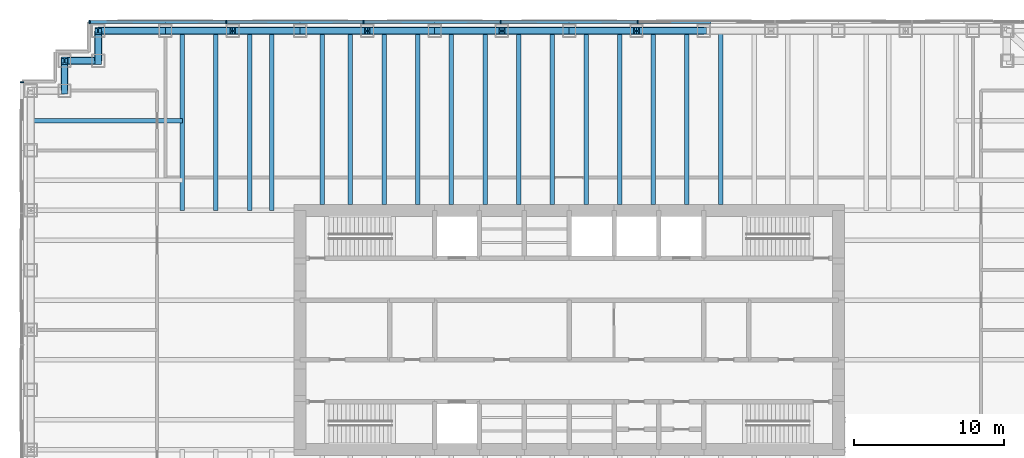
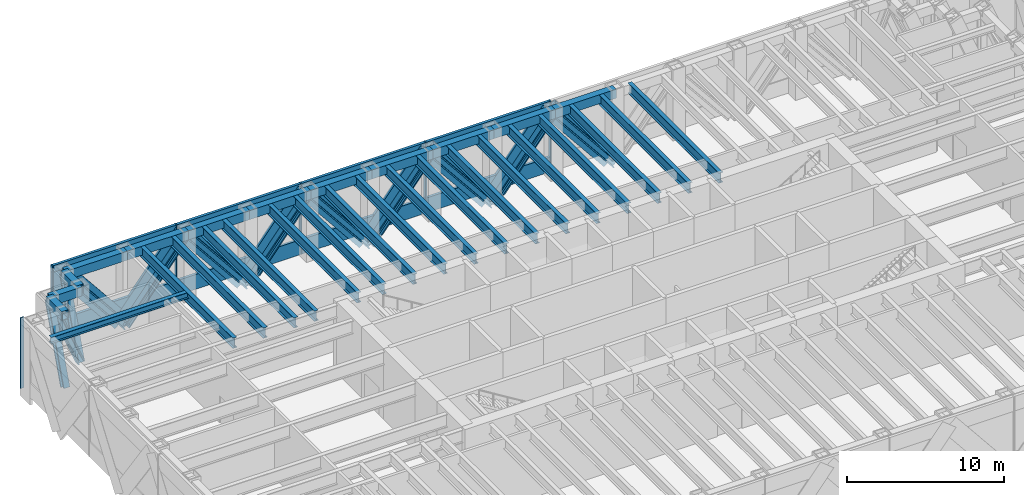
# One storey, part 5 of 17: 36 members, 30 beams, 2 elements without a shape of their own.
"""IFC4 building model written with IfcOpenShell, lengths in metres."""

from ifc_helpers import new_model, si_unit, direction, frame, origin, origin_2d, place, context, subcontext, project, spatial, rectangle, hollow_rectangle, i_section, extrude, material, material_profile, profile_set, type_object, element, aggregate, save


model = new_model("IFC4")

# Units and contexts
model_context = context("Model", 3, precision=1e-05, world=origin(), true_north=direction((0.0, 1.0)))
body_context = subcontext(model_context, "Body", "Model", "MODEL_VIEW")
ifc_project = project(units=[si_unit("LENGTHUNIT", "METRE"), si_unit("AREAUNIT", "SQUARE_METRE"), si_unit("VOLUMEUNIT", "CUBIC_METRE"), si_unit("PLANEANGLEUNIT", "RADIAN"), si_unit("MASSUNIT", "GRAM", prefix="KILO")], contexts=[model_context])

# Site, building, storey
site_placement = place(None, origin())
site = spatial("IfcSite", under=ifc_project, at=site_placement, CompositionType="ELEMENT")
building_placement = place(site_placement, origin())
building = spatial("IfcBuilding", under=site, at=building_placement, Name="Rheinbord Bourse Tower", CompositionType="ELEMENT")
storey_placement = place(building_placement, frame((0.0, 0.0, 265.60009765625)))
storey = spatial("IfcBuildingStorey", under=building, at=storey_placement, Name="L60", CompositionType="ELEMENT", Elevation=265.60009765625)

# Beams
ifc_material_1 = material(Name="Steel S460M", Category="steel")
ifc_material_profile_1 = material_profile(ifc_material_1, hollow_rectangle(XDim=0.5, YDim=0.699951171875, WallThickness=0.0400390625, at=origin_2d()), Name="BOX 700x500x40")
ifc_profile_set_1 = profile_set([ifc_material_profile_1], Name="Steel S460M")
beam_type_1 = type_object("IfcBeamType", Name="BELT CHORD BOX 700x500x40", PredefinedType="SPANDREL", material=ifc_profile_set_1)
for number, where, z_axis, x_axis, name in (
    (1, (45.0, 44.0, 4.989990234375), (-1.0, 0.0, 0.0), (0.0, -1.0, 0.0), "Spandrel N-45-N-40.5 under L61"),
    (2, (40.5, 44.0, 4.989990234375), (-1.0, 0.0, 0.0), (0.0, -1.0, 0.0), "Spandrel N-40.5-N-36 under L61"),
    (3, (36.0, 44.0, 4.989990234375), (-1.0, 0.0, 0.0), (0.0, -1.0, 0.0), "Spandrel N-36-N-31.5 under L61"),
    (4, (31.5, 44.0, 4.989990234375), (-1.0, 0.0, 0.0), (0.0, -1.0, 0.0), "Spandrel N-31.5-N-27 under L61"),
    (5, (27.0, 44.0, 4.989990234375), (-1.0, 0.0, 0.0), (0.0, -1.0, 0.0), "Spandrel N-27-N-22.5 under L61"),
    (6, (22.5, 44.0, 4.989990234375), (-1.0, 0.0, 0.0), (0.0, -1.0, 0.0), "Spandrel N-22.5-N-18 under L61"),
    (7, (18.0, 44.0, 4.989990234375), (-1.0, 0.0, 0.0), (0.0, -1.0, 0.0), "Spandrel N-18-N-13.5 under L61"),
    (8, (13.5, 44.0, 4.989990234375), (-1.0, 0.0, 0.0), (0.0, -1.0, 0.0), "Spandrel N-13.5-N-9 under L61"),
    (9, (9.0, 44.0, 4.989990234375), (-1.0, 0.0, 0.0), (0.0, -1.0, 0.0), "Spandrel N-9-NW-E under L61"),
):
    element("IfcBeam", number, at=place(storey_placement, frame(where, z_axis=z_axis, x_axis=x_axis)), inside=storey, type_object=beam_type_1, Name=name, PredefinedType="SPANDREL", context=body_context, shape_type="SweptSolid", body=[
        extrude(hollow_rectangle(XDim=0.5, YDim=0.699951171875, WallThickness=0.0400390625, at=origin_2d()), origin(), (0.0, 0.0, 1.0), 4.5),
    ])
beam_1_placement = place(storey_placement, frame((4.5, 44.0, 4.989990234375), z_axis=(0.0, -1.0, 0.0), x_axis=(1.0, 0.0, 0.0)))
element("IfcBeam", 10, at=beam_1_placement, inside=storey, type_object=beam_type_1, Name="Spandrel NW-E-NW-D under L61", PredefinedType="SPANDREL", context=body_context, shape_type="SweptSolid", body=[
    extrude(hollow_rectangle(XDim=0.5, YDim=0.699951171875, WallThickness=0.0400390625, at=origin_2d()), origin(), (0.0, 0.0, 1.0), 2.0),
])
beam_2_placement = place(storey_placement, frame((4.5, 42.0, 4.989990234375), z_axis=(-1.0, 0.0, 0.0), x_axis=(0.0, -1.0, 0.0)))
element("IfcBeam", 11, at=beam_2_placement, inside=storey, type_object=beam_type_1, Name="Spandrel NW-D-NW-C under L61", PredefinedType="SPANDREL", context=body_context, shape_type="SweptSolid", body=[
    extrude(hollow_rectangle(XDim=0.5, YDim=0.699951171875, WallThickness=0.0400390625, at=origin_2d()), origin(), (0.0, 0.0, 1.0), 2.25),
])
beam_3_placement = place(storey_placement, frame((2.25, 42.0, 4.989990234375), z_axis=(0.0, -1.0, 0.0), x_axis=(1.0, 0.0, 0.0)))
element("IfcBeam", 12, at=beam_3_placement, inside=storey, type_object=beam_type_1, Name="Spandrel NW-C-NW-B under L61", PredefinedType="SPANDREL", context=body_context, shape_type="SweptSolid", body=[
    extrude(hollow_rectangle(XDim=0.5, YDim=0.699951171875, WallThickness=0.0400390625, at=origin_2d()), origin(), (0.0, 0.0, 1.0), 2.0),
])

# Members
ifc_material_2 = material(Name="Steel S460", Category="steel")
ifc_material_profile_2 = material_profile(ifc_material_2, i_section(OverallWidth=0.431884765625, OverallDepth=0.498046875, WebThickness=0.0556640625, FlangeThickness=0.0888671875, at=origin_2d()), Name="HD 400x744")
ifc_profile_set_2 = profile_set([ifc_material_profile_2], Name="Steel S460")
member_type_1 = type_object("IfcMemberType", Name="BELT DIAGONAL HD 400x744", PredefinedType="STRUT", material=ifc_profile_set_2)
for number, where, z_axis, x_axis, name in (
    (13, (45.0, 44.0, -0.60009765625), (-0.627065297878, 0.0, 0.778966695178), (0.0, -1.0, 0.0), "Belt truss diagonal N-45-N-40.5 L60"),
    (14, (36.0, 44.0, -0.60009765625), (0.627065297878, 0.0, 0.778966695178), (0.0, 1.0, 0.0), "Belt truss diagonal N-40.5-N-36 L60"),
    (15, (36.0, 44.0, -0.60009765625), (-0.627065297878, 0.0, 0.778966695178), (0.0, -1.0, 0.0), "Belt truss diagonal N-36-N-31.5 L60"),
    (16, (27.0, 44.0, -0.60009765625), (0.627065297878, 0.0, 0.778966695178), (0.0, 1.0, 0.0), "Belt truss diagonal N-31.5-N-27 L60"),
    (17, (27.0, 44.0, -0.60009765625), (-0.627065297878, 0.0, 0.778966695178), (0.0, -1.0, 0.0), "Belt truss diagonal N-27-N-22.5 L60"),
    (18, (18.0, 44.0, -0.60009765625), (0.627065297878, 0.0, 0.778966695178), (0.0, 1.0, 0.0), "Belt truss diagonal N-22.5-N-18 L60"),
    (19, (18.0, 44.0, -0.60009765625), (-0.627065297878, 0.0, 0.778966695178), (0.0, -1.0, 0.0), "Belt truss diagonal N-18-N-13.5 L60"),
    (20, (9.0, 44.0, -0.60009765625), (0.627065297878, 0.0, 0.778966695178), (0.0, 1.0, 0.0), "Belt truss diagonal N-13.5-N-9 L60"),
    (21, (9.0, 44.0, -0.60009765625), (-0.627065297878, 0.0, 0.778966695178), (0.0, -1.0, 0.0), "Belt truss diagonal N-9-NW-E L60"),
):
    element("IfcMember", number, at=place(storey_placement, frame(where, z_axis=z_axis, x_axis=x_axis)), inside=storey, type_object=member_type_1, Name=name, PredefinedType="STRUT", context=body_context, shape_type="SweptSolid", body=[
        extrude(i_section(OverallWidth=0.431884765625, OverallDepth=0.498046875, WebThickness=0.0556640625, FlangeThickness=0.0888671875, at=origin_2d()), origin(), (0.0, 0.0, 1.0), 7.17626953125),
    ])
member_1_placement = place(storey_placement, frame((4.5, 42.0, -0.60009765625), z_axis=(0.0, 0.336865151883, 0.941552903159), x_axis=(-1.0, 0.0, 0.0)))
element("IfcMember", 22, at=member_1_placement, inside=storey, type_object=member_type_1, Name="Belt truss diagonal NW-E-NW-D L60", PredefinedType="STRUT", context=body_context, shape_type="SweptSolid", body=[
    extrude(i_section(OverallWidth=0.431884765625, OverallDepth=0.498046875, WebThickness=0.0556640625, FlangeThickness=0.0888671875, at=origin_2d()), origin(), (0.0, 0.0, 1.0), 5.93701171875),
])
member_2_placement = place(storey_placement, frame((4.5, 42.0, -0.60009765625), z_axis=(-0.37338763268, 0.0, 0.92767541509), x_axis=(0.0, -1.0, 0.0)))
element("IfcMember", 23, at=member_2_placement, inside=storey, type_object=member_type_1, Name="Belt truss diagonal NW-D-NW-C L60", PredefinedType="STRUT", context=body_context, shape_type="SweptSolid", body=[
    extrude(i_section(OverallWidth=0.431884765625, OverallDepth=0.498046875, WebThickness=0.0556640625, FlangeThickness=0.0888671875, at=origin_2d()), origin(), (0.0, 0.0, 1.0), 6.02587890625),
])
member_3_placement = place(storey_placement, frame((2.25, 40.0, -0.60009765625), z_axis=(0.0, 0.336865151883, 0.941552903159), x_axis=(-1.0, 0.0, 0.0)))
element("IfcMember", 24, at=member_3_placement, inside=storey, type_object=member_type_1, Name="Belt truss diagonal NW-C-NW-B L60", PredefinedType="STRUT", context=body_context, shape_type="SweptSolid", body=[
    extrude(i_section(OverallWidth=0.431884765625, OverallDepth=0.498046875, WebThickness=0.0556640625, FlangeThickness=0.0888671875, at=origin_2d()), origin(), (0.0, 0.0, 1.0), 5.93701171875),
])

# Curtain wall, members
ifc_material_3 = material(Name="Dark glass and black aluminium", Category="aluminium")
curtain_wall_type = type_object("IfcCurtainWallType", Name="CW5 DARK GLASS CURTAIN WALL", PredefinedType="USERDEFINED", material=ifc_material_3)
curtain_wall_1_placement = place(storey_placement, origin())
curtain_wall_1 = element("IfcCurtainWall", 25, at=curtain_wall_1_placement, inside=storey, type_object=curtain_wall_type, Name="Curtain wall CW5 N L60", ObjectType="UNITISED CURTAIN WALL", PredefinedType="USERDEFINED")
ifc_material_4 = material(Name="Black anodised aluminium", Category="aluminium")
ifc_material_profile_3 = material_profile(ifc_material_4, rectangle(XDim=0.199951171875, YDim=1.259033203125, at=origin_2d()), Name="CW5 DIAGONAL MULLION 1259x200")
ifc_profile_set_3 = profile_set([ifc_material_profile_3], Name="Black anodised aluminium")
member_type_2 = type_object("IfcMemberType", Name="CW5 BLACK DIAGONAL MULLION", PredefinedType="USERDEFINED", material=ifc_profile_set_3)
member_4_placement = place(storey_placement, frame((45.0, 44.60009765625, -0.60009765625), z_axis=(-0.627065297878, 0.0, 0.778966695178), x_axis=(0.0, -1.0, 0.0)))
member_4 = element("IfcMember", 26, at=member_4_placement, type_object=member_type_2, Name="CW5 diagonal mullion belt N-45", ObjectType="DIAGONAL MULLION", PredefinedType="USERDEFINED", context=body_context, shape_type="SweptSolid", body=[
    extrude(rectangle(XDim=0.199951171875, YDim=1.259033203125, at=origin_2d()), origin(), (0.0, 0.0, 1.0), 7.17626953125),
])
member_5_placement = place(storey_placement, frame((36.0, 44.60009765625, -0.60009765625), z_axis=(0.627065297878, 0.0, 0.778966695178), x_axis=(0.0, 1.0, 0.0)))
member_5 = element("IfcMember", 27, at=member_5_placement, type_object=member_type_2, Name="CW5 diagonal mullion belt N-40.5", ObjectType="DIAGONAL MULLION", PredefinedType="USERDEFINED", context=body_context, shape_type="SweptSolid", body=[
    extrude(rectangle(XDim=0.199951171875, YDim=1.259033203125, at=origin_2d()), origin(), (0.0, 0.0, 1.0), 7.17626953125),
])
member_6_placement = place(storey_placement, frame((36.0, 44.60009765625, -0.60009765625), z_axis=(-0.627065297878, 0.0, 0.778966695178), x_axis=(0.0, -1.0, 0.0)))
member_6 = element("IfcMember", 28, at=member_6_placement, type_object=member_type_2, Name="CW5 diagonal mullion belt N-36", ObjectType="DIAGONAL MULLION", PredefinedType="USERDEFINED", context=body_context, shape_type="SweptSolid", body=[
    extrude(rectangle(XDim=0.199951171875, YDim=1.259033203125, at=origin_2d()), origin(), (0.0, 0.0, 1.0), 7.17626953125),
])
member_7_placement = place(storey_placement, frame((27.0, 44.60009765625, -0.60009765625), z_axis=(0.627065297878, 0.0, 0.778966695178), x_axis=(0.0, 1.0, 0.0)))
member_7 = element("IfcMember", 29, at=member_7_placement, type_object=member_type_2, Name="CW5 diagonal mullion belt N-31.5", ObjectType="DIAGONAL MULLION", PredefinedType="USERDEFINED", context=body_context, shape_type="SweptSolid", body=[
    extrude(rectangle(XDim=0.199951171875, YDim=1.259033203125, at=origin_2d()), origin(), (0.0, 0.0, 1.0), 7.17626953125),
])
member_8_placement = place(storey_placement, frame((27.0, 44.60009765625, -0.60009765625), z_axis=(-0.627065297878, 0.0, 0.778966695178), x_axis=(0.0, -1.0, 0.0)))
member_8 = element("IfcMember", 30, at=member_8_placement, type_object=member_type_2, Name="CW5 diagonal mullion belt N-27", ObjectType="DIAGONAL MULLION", PredefinedType="USERDEFINED", context=body_context, shape_type="SweptSolid", body=[
    extrude(rectangle(XDim=0.199951171875, YDim=1.259033203125, at=origin_2d()), origin(), (0.0, 0.0, 1.0), 7.17626953125),
])
member_9_placement = place(storey_placement, frame((18.0, 44.60009765625, -0.60009765625), z_axis=(0.627065297878, 0.0, 0.778966695178), x_axis=(0.0, 1.0, 0.0)))
member_9 = element("IfcMember", 31, at=member_9_placement, type_object=member_type_2, Name="CW5 diagonal mullion belt N-22.5", ObjectType="DIAGONAL MULLION", PredefinedType="USERDEFINED", context=body_context, shape_type="SweptSolid", body=[
    extrude(rectangle(XDim=0.199951171875, YDim=1.259033203125, at=origin_2d()), origin(), (0.0, 0.0, 1.0), 7.17626953125),
])
member_10_placement = place(storey_placement, frame((18.0, 44.60009765625, -0.60009765625), z_axis=(-0.627065297878, 0.0, 0.778966695178), x_axis=(0.0, -1.0, 0.0)))
member_10 = element("IfcMember", 32, at=member_10_placement, type_object=member_type_2, Name="CW5 diagonal mullion belt N-18", ObjectType="DIAGONAL MULLION", PredefinedType="USERDEFINED", context=body_context, shape_type="SweptSolid", body=[
    extrude(rectangle(XDim=0.199951171875, YDim=1.259033203125, at=origin_2d()), origin(), (0.0, 0.0, 1.0), 7.17626953125),
])
member_11_placement = place(storey_placement, frame((9.0, 44.60009765625, -0.60009765625), z_axis=(0.627065297878, 0.0, 0.778966695178), x_axis=(0.0, 1.0, 0.0)))
member_11 = element("IfcMember", 33, at=member_11_placement, type_object=member_type_2, Name="CW5 diagonal mullion belt N-13.5", ObjectType="DIAGONAL MULLION", PredefinedType="USERDEFINED", context=body_context, shape_type="SweptSolid", body=[
    extrude(rectangle(XDim=0.199951171875, YDim=1.259033203125, at=origin_2d()), origin(), (0.0, 0.0, 1.0), 7.17626953125),
])
member_12_placement = place(storey_placement, frame((9.0, 44.60009765625, -0.60009765625), z_axis=(-0.627065297878, 0.0, 0.778966695178), x_axis=(0.0, -1.0, 0.0)))
member_12 = element("IfcMember", 34, at=member_12_placement, type_object=member_type_2, Name="CW5 diagonal mullion belt N-9", ObjectType="DIAGONAL MULLION", PredefinedType="USERDEFINED", context=body_context, shape_type="SweptSolid", body=[
    extrude(rectangle(XDim=0.199951171875, YDim=1.259033203125, at=origin_2d()), origin(), (0.0, 0.0, 1.0), 7.17626953125),
])
member_13_placement = place(storey_placement, frame((4.5, 44.60009765625, -0.60009765625), z_axis=(0.0, 0.0, 1.0), x_axis=(0.0, -1.0, 0.0)))
member_13 = element("IfcMember", 35, at=member_13_placement, type_object=member_type_2, Name="CW5 diagonal mullion belt NW-E", ObjectType="DIAGONAL MULLION", PredefinedType="USERDEFINED", context=body_context, shape_type="SweptSolid", body=[
    extrude(rectangle(XDim=0.199951171875, YDim=1.259033203125, at=origin_2d()), origin(), (0.0, 0.0, 1.0), 5.590087890625),
])
ifc_material_5 = material(Name="Black anodised aluminium", Category="aluminium")
ifc_material_profile_4 = material_profile(ifc_material_5, rectangle(XDim=0.25, YDim=0.080078125, at=origin_2d()), Name="CW5 MULLION 80x250")
ifc_profile_set_4 = profile_set([ifc_material_profile_4], Name="Black anodised aluminium")
member_type_3 = type_object("IfcMemberType", Name="CW5 BLACK MULLION", PredefinedType="MULLION", material=ifc_profile_set_4)
member_14_placement = place(storey_placement, frame((40.585693359375, 44.60009765625, 0.0), z_axis=(0.0, 0.0, 1.0), x_axis=(0.0, -1.0, 0.0)))
member_14 = element("IfcMember", 36, at=member_14_placement, type_object=member_type_3, Name="CW5 mullion 4", PredefinedType="MULLION", context=body_context, shape_type="SweptSolid", body=[
    extrude(rectangle(XDim=0.25, YDim=0.080078125, at=origin_2d()), origin(), (0.0, 0.0, 1.0), 5.5),
])
member_15_placement = place(storey_placement, frame((31.414306640625, 44.60009765625, 0.0), z_axis=(0.0, 0.0, 1.0), x_axis=(0.0, -1.0, 0.0)))
member_15 = element("IfcMember", 37, at=member_15_placement, type_object=member_type_3, Name="CW5 mullion 5", PredefinedType="MULLION", context=body_context, shape_type="SweptSolid", body=[
    extrude(rectangle(XDim=0.25, YDim=0.080078125, at=origin_2d()), origin(), (0.0, 0.0, 1.0), 5.5),
])
member_16_placement = place(storey_placement, frame((22.242919921875, 44.60009765625, 0.0), z_axis=(0.0, 0.0, 1.0), x_axis=(0.0, -1.0, 0.0)))
member_16 = element("IfcMember", 38, at=member_16_placement, type_object=member_type_3, Name="CW5 mullion 6", PredefinedType="MULLION", context=body_context, shape_type="SweptSolid", body=[
    extrude(rectangle(XDim=0.25, YDim=0.080078125, at=origin_2d()), origin(), (0.0, 0.0, 1.0), 5.5),
])
member_17_placement = place(storey_placement, frame((13.071533203125, 44.60009765625, 0.0), z_axis=(0.0, 0.0, 1.0), x_axis=(0.0, -1.0, 0.0)))
member_17 = element("IfcMember", 39, at=member_17_placement, type_object=member_type_3, Name="CW5 mullion 7", PredefinedType="MULLION", context=body_context, shape_type="SweptSolid", body=[
    extrude(rectangle(XDim=0.25, YDim=0.080078125, at=origin_2d()), origin(), (0.0, 0.0, 1.0), 5.5),
])
member_18_placement = place(storey_placement, frame((3.93994140625, 44.60009765625, 0.0), z_axis=(0.0, 0.0, 1.0), x_axis=(0.0, -1.0, 0.0)))
member_18 = element("IfcMember", 40, at=member_18_placement, type_object=member_type_3, Name="CW5 mullion 8", PredefinedType="MULLION", context=body_context, shape_type="SweptSolid", body=[
    extrude(rectangle(XDim=0.25, YDim=0.080078125, at=origin_2d()), origin(), (0.0, 0.0, 1.0), 5.5),
])

# Curtain wall, member
curtain_wall_2_placement = place(storey_placement, origin())
curtain_wall_2 = element("IfcCurtainWall", 41, at=curtain_wall_2_placement, inside=storey, type_object=curtain_wall_type, Name="Curtain wall CW5 W L60", ObjectType="UNITISED CURTAIN WALL", PredefinedType="USERDEFINED")
member_19_placement = place(storey_placement, frame((-0.60009765625, 40.56005859375, 0.0), z_axis=(0.0, 0.0, 1.0), x_axis=(1.0, 0.0, 0.0)))
member_19 = element("IfcMember", 42, at=member_19_placement, type_object=member_type_3, Name="CW5 mullion 1", PredefinedType="MULLION", context=body_context, shape_type="SweptSolid", body=[
    extrude(rectangle(XDim=0.25, YDim=0.080078125, at=origin_2d()), origin(), (0.0, 0.0, 1.0), 5.5),
])
aggregate(curtain_wall_2, [member_19])

# Member
ifc_material_6 = material(Name="Black anodised aluminium", Category="aluminium")
ifc_material_profile_5 = material_profile(ifc_material_6, rectangle(XDim=0.199951171875, YDim=1.14990234375, at=origin_2d()), Name="CW5 TRANSOM 1150x200")
ifc_profile_set_5 = profile_set([ifc_material_profile_5], Name="Black anodised aluminium")
member_type_4 = type_object("IfcMemberType", Name="CW5 BLACK TRANSOM", PredefinedType="USERDEFINED", material=ifc_profile_set_5)
member_20_placement = place(storey_placement, frame((40.545654296875, 44.60009765625, 0.574951171875), z_axis=(-1.0, 0.0, 0.0), x_axis=(0.0, -1.0, 0.0)))
member_20 = element("IfcMember", 43, at=member_20_placement, type_object=member_type_4, Name="CW5 transom 4.1", ObjectType="TRANSOM", PredefinedType="USERDEFINED", context=body_context, shape_type="SweptSolid", body=[
    extrude(rectangle(XDim=0.199951171875, YDim=1.14990234375, at=origin_2d()), origin(), (0.0, 0.0, 1.0), 9.09130859375),
])

member_21_placement = place(storey_placement, frame((40.545654296875, 44.60009765625, 4.9248046875), z_axis=(-1.0, 0.0, 0.0), x_axis=(0.0, -1.0, 0.0)))
member_21 = element("IfcMember", 44, at=member_21_placement, type_object=member_type_4, Name="CW5 transom 4.2", ObjectType="TRANSOM", PredefinedType="USERDEFINED", context=body_context, shape_type="SweptSolid", body=[
    extrude(rectangle(XDim=0.199951171875, YDim=1.14990234375, at=origin_2d()), origin(), (0.0, 0.0, 1.0), 9.09130859375),
])

member_22_placement = place(storey_placement, frame((31.374267578125, 44.60009765625, 0.574951171875), z_axis=(-1.0, 0.0, 0.0), x_axis=(0.0, -1.0, 0.0)))
member_22 = element("IfcMember", 45, at=member_22_placement, type_object=member_type_4, Name="CW5 transom 5.1", ObjectType="TRANSOM", PredefinedType="USERDEFINED", context=body_context, shape_type="SweptSolid", body=[
    extrude(rectangle(XDim=0.199951171875, YDim=1.14990234375, at=origin_2d()), origin(), (0.0, 0.0, 1.0), 9.09130859375),
])

member_23_placement = place(storey_placement, frame((31.374267578125, 44.60009765625, 4.9248046875), z_axis=(-1.0, 0.0, 0.0), x_axis=(0.0, -1.0, 0.0)))
member_23 = element("IfcMember", 46, at=member_23_placement, type_object=member_type_4, Name="CW5 transom 5.2", ObjectType="TRANSOM", PredefinedType="USERDEFINED", context=body_context, shape_type="SweptSolid", body=[
    extrude(rectangle(XDim=0.199951171875, YDim=1.14990234375, at=origin_2d()), origin(), (0.0, 0.0, 1.0), 9.09130859375),
])

member_24_placement = place(storey_placement, frame((22.202880859375, 44.60009765625, 0.574951171875), z_axis=(-1.0, 0.0, 0.0), x_axis=(0.0, -1.0, 0.0)))
member_24 = element("IfcMember", 47, at=member_24_placement, type_object=member_type_4, Name="CW5 transom 6.1", ObjectType="TRANSOM", PredefinedType="USERDEFINED", context=body_context, shape_type="SweptSolid", body=[
    extrude(rectangle(XDim=0.199951171875, YDim=1.14990234375, at=origin_2d()), origin(), (0.0, 0.0, 1.0), 9.091552734375),
])

member_25_placement = place(storey_placement, frame((22.202880859375, 44.60009765625, 4.9248046875), z_axis=(-1.0, 0.0, 0.0), x_axis=(0.0, -1.0, 0.0)))
member_25 = element("IfcMember", 48, at=member_25_placement, type_object=member_type_4, Name="CW5 transom 6.2", ObjectType="TRANSOM", PredefinedType="USERDEFINED", context=body_context, shape_type="SweptSolid", body=[
    extrude(rectangle(XDim=0.199951171875, YDim=1.14990234375, at=origin_2d()), origin(), (0.0, 0.0, 1.0), 9.091552734375),
])

member_26_placement = place(storey_placement, frame((13.031494140625, 44.60009765625, 0.574951171875), z_axis=(-1.0, 0.0, 0.0), x_axis=(0.0, -1.0, 0.0)))
member_26 = element("IfcMember", 49, at=member_26_placement, type_object=member_type_4, Name="CW5 transom 7.1", ObjectType="TRANSOM", PredefinedType="USERDEFINED", context=body_context, shape_type="SweptSolid", body=[
    extrude(rectangle(XDim=0.199951171875, YDim=1.14990234375, at=origin_2d()), origin(), (0.0, 0.0, 1.0), 9.051513671875),
])

member_27_placement = place(storey_placement, frame((13.031494140625, 44.60009765625, 4.9248046875), z_axis=(-1.0, 0.0, 0.0), x_axis=(0.0, -1.0, 0.0)))
member_27 = element("IfcMember", 50, at=member_27_placement, type_object=member_type_4, Name="CW5 transom 7.2", ObjectType="TRANSOM", PredefinedType="USERDEFINED", context=body_context, shape_type="SweptSolid", body=[
    extrude(rectangle(XDim=0.199951171875, YDim=1.14990234375, at=origin_2d()), origin(), (0.0, 0.0, 1.0), 9.051513671875),
])

aggregate(curtain_wall_1, [member_14, member_15, member_16, member_17, member_18, member_20, member_21, member_22, member_23, member_24, member_25, member_26, member_27, member_4, member_5, member_6, member_7, member_8, member_9, member_10, member_11, member_12, member_13])

# Beams
ifc_material_7 = material(Name="Steel S460", Category="steel")
ifc_material_profile_6 = material_profile(ifc_material_7, i_section(OverallWidth=0.300048828125, OverallDepth=0.800048828125, WebThickness=0.017578125, FlangeThickness=0.032958984375, at=origin_2d()), Name="HEB 800")
ifc_profile_set_6 = profile_set([ifc_material_profile_6], Name="Steel S460")
beam_type_2 = type_object("IfcBeamType", Name="FLOOR BEAM HEB 800", PredefinedType="BEAM", material=ifc_profile_set_6)
for number, where, z_axis, x_axis, name in (
    (51, (10.125, 44.0, 4.93994140625), (0.0, -1.0, 0.0), (1.0, 0.0, 0.0), "Floor beam N-9a L61"),
    (52, (12.375, 44.0, 4.93994140625), (0.0, -1.0, 0.0), (1.0, 0.0, 0.0), "Floor beam N-9b L61"),
    (53, (14.625, 44.0, 4.93994140625), (0.0, -1.0, 0.0), (1.0, 0.0, 0.0), "Floor beam N-13.5a L61"),
    (54, (16.125, 44.0, 4.93994140625), (0.0, -1.0, 0.0), (1.0, 0.0, 0.0), "Floor beam N-13.5b L61"),
):
    element("IfcBeam", number, at=place(storey_placement, frame(where, z_axis=z_axis, x_axis=x_axis)), inside=storey, type_object=beam_type_2, Name=name, PredefinedType="BEAM", context=body_context, shape_type="SweptSolid", body=[
        extrude(i_section(OverallWidth=0.300048828125, OverallDepth=0.800048828125, WebThickness=0.017578125, FlangeThickness=0.032958984375, at=origin_2d()), origin(), (0.0, 0.0, 1.0), 12.0),
    ])
for number, where, z_axis, x_axis, name in (
    (55, (19.5, 44.0, 4.93994140625), (0.0, -1.0, 0.0), (1.0, 0.0, 0.0), "Floor beam N-18a L61"),
    (56, (21.375, 44.0, 4.93994140625), (0.0, -1.0, 0.0), (1.0, 0.0, 0.0), "Floor beam N-18b L61"),
    (57, (23.625, 44.0, 4.93994140625), (0.0, -1.0, 0.0), (1.0, 0.0, 0.0), "Floor beam N-22.5a L61"),
    (58, (25.875, 44.0, 4.93994140625), (0.0, -1.0, 0.0), (1.0, 0.0, 0.0), "Floor beam N-22.5b L61"),
    (59, (28.125, 44.0, 4.93994140625), (0.0, -1.0, 0.0), (1.0, 0.0, 0.0), "Floor beam N-27a L61"),
    (60, (30.375, 44.0, 4.93994140625), (0.0, -1.0, 0.0), (1.0, 0.0, 0.0), "Floor beam N-27b L61"),
    (61, (32.625, 44.0, 4.93994140625), (0.0, -1.0, 0.0), (1.0, 0.0, 0.0), "Floor beam N-31.5a L61"),
    (62, (34.875, 44.0, 4.93994140625), (0.0, -1.0, 0.0), (1.0, 0.0, 0.0), "Floor beam N-31.5b L61"),
    (63, (37.125, 44.0, 4.93994140625), (0.0, -1.0, 0.0), (1.0, 0.0, 0.0), "Floor beam N-36a L61"),
    (64, (39.375, 44.0, 4.93994140625), (0.0, -1.0, 0.0), (1.0, 0.0, 0.0), "Floor beam N-36b L61"),
    (65, (41.625, 44.0, 4.93994140625), (0.0, -1.0, 0.0), (1.0, 0.0, 0.0), "Floor beam N-40.5a L61"),
    (66, (43.875, 44.0, 4.93994140625), (0.0, -1.0, 0.0), (1.0, 0.0, 0.0), "Floor beam N-40.5b L61"),
    (67, (46.125, 44.0, 4.93994140625), (0.0, -1.0, 0.0), (1.0, 0.0, 0.0), "Floor beam N-45a L61"),
):
    element("IfcBeam", number, at=place(storey_placement, frame(where, z_axis=z_axis, x_axis=x_axis)), inside=storey, type_object=beam_type_2, Name=name, PredefinedType="BEAM", context=body_context, shape_type="SweptSolid", body=[
        extrude(i_section(OverallWidth=0.300048828125, OverallDepth=0.800048828125, WebThickness=0.017578125, FlangeThickness=0.032958984375, at=origin_2d()), origin(), (0.0, 0.0, 1.0), 11.60009765625),
    ])
ifc_material_8 = material(Name="Steel S460", Category="steel")
ifc_material_profile_7 = material_profile(ifc_material_8, i_section(OverallWidth=0.300048828125, OverallDepth=0.5, WebThickness=0.014404296875, FlangeThickness=0.028076171875, at=origin_2d()), Name="HEB 500")
ifc_profile_set_7 = profile_set([ifc_material_profile_7], Name="Steel S460")
beam_type_3 = type_object("IfcBeamType", Name="TIE BEAM HEB 500", PredefinedType="JOIST", material=ifc_profile_set_7)
beam_4_placement = place(storey_placement, frame((0.0, 38.0, 5.08984375), z_axis=(1.0, 0.0, 0.0), x_axis=(0.0, 1.0, 0.0)))
element("IfcBeam", 68, at=beam_4_placement, inside=storey, type_object=beam_type_3, Name="Tie west 38 L61", PredefinedType="JOIST", context=body_context, shape_type="SweptSolid", body=[
    extrude(i_section(OverallWidth=0.300048828125, OverallDepth=0.5, WebThickness=0.014404296875, FlangeThickness=0.028076171875, at=origin_2d()), origin(), (0.0, 0.0, 1.0), 10.125),
])

save(model, "model.ifc")
